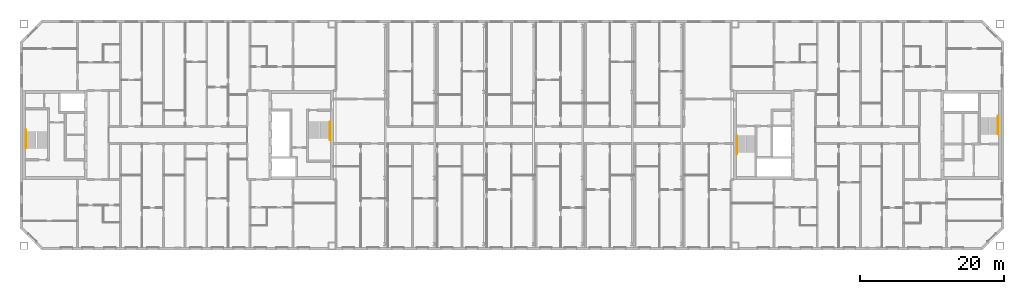
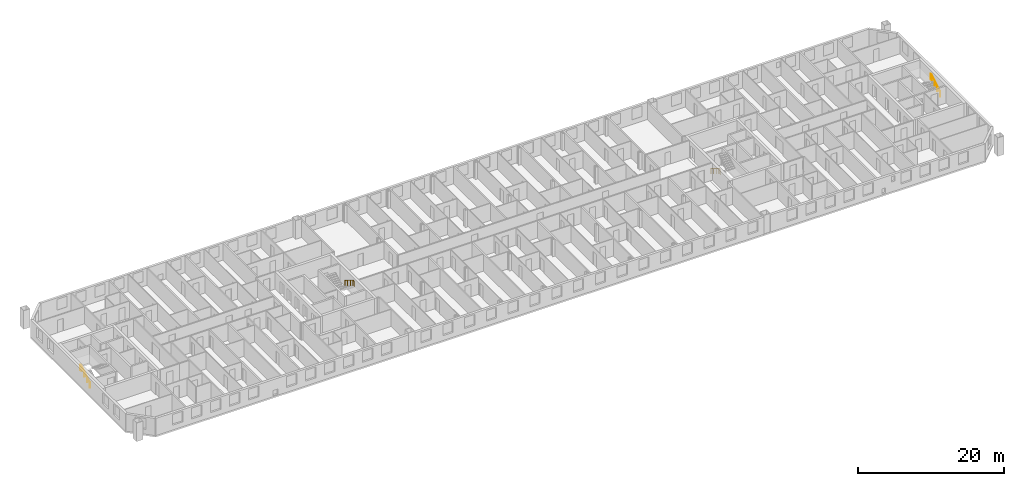
# One storey, part 19 of 19: 4 railings.
"""IFC4 building model written with IfcOpenShell, lengths in metres."""

from ifc_helpers import new_model, si_unit, direction, frame, origin, origin_2d, place, context, subcontext, project, spatial, circle, extrude, material, type_object, element, save


model = new_model("IFC4")

# Units and contexts
model_context = context("Model", 3, precision=1e-05, world=origin(), true_north=direction((0.0, 1.0)))
body_context = subcontext(model_context, "Body", "Model", "MODEL_VIEW")
ifc_project = project(units=[si_unit("LENGTHUNIT", "METRE"), si_unit("AREAUNIT", "SQUARE_METRE"), si_unit("VOLUMEUNIT", "CUBIC_METRE"), si_unit("PLANEANGLEUNIT", "RADIAN"), si_unit("MASSUNIT", "GRAM", prefix="KILO")], contexts=[model_context])

# Site, building, storey
site_placement = place(None, origin())
site = spatial("IfcSite", under=ifc_project, at=site_placement, CompositionType="ELEMENT")
building_placement = place(site_placement, origin())
building = spatial("IfcBuilding", under=site, at=building_placement, Name="Tuart Gate Housing", CompositionType="ELEMENT")
storey_placement = place(building_placement, frame((0.0, 0.0, 233.800048828125)))
storey = spatial("IfcBuildingStorey", under=building, at=storey_placement, Name="L66", CompositionType="ELEMENT", Elevation=233.800048828125)

# Railings
ifc_material = material(Name="Stainless steel", Category="steel")
railing_type = type_object("IfcRailingType", Name="Stair handrail 900", PredefinedType="HANDRAIL", material=ifc_material)
railing_1_placement = place(storey_placement, frame((75.179931640625, 71.824951171875, 0.172119140625)))
element("IfcRailing", 1, at=railing_1_placement, inside=storey, type_object=railing_type, Name="Stair handrail SA1.1", PredefinedType="HANDRAIL", context=body_context, shape_type="SweptSolid", body=[
    extrude(circle(Radius=0.02392578125, at=origin_2d()), frame((0.0, 0.0, 0.8759765625), z_axis=(0.0, -0.851747552033, 0.523952390591), x_axis=(1.0, 0.0, 0.0)), (0.0, 0.0, 1.0), 2.6298828125),
    extrude(circle(Radius=0.02392578125, at=origin_2d()), frame((0.0, -2.239990234375, 2.25390625), z_axis=(0.0, -1.0, 0.0), x_axis=(1.0, 0.0, 0.0)), (0.0, 0.0, 1.0), 0.300048828125),
    extrude(circle(Radius=0.02099609375, at=origin_2d()), origin(), (0.0, 0.0, 1.0), 0.851806640625),
    extrude(circle(Radius=0.02099609375, at=origin_2d()), frame((0.0, -0.74658203125, 0.459228515625)), (0.0, 0.0, 1.0), 0.851806640625),
    extrude(circle(Radius=0.02099609375, at=origin_2d()), frame((0.0, -1.493408203125, 0.918701171875)), (0.0, 0.0, 1.0), 0.851806640625),
    extrude(circle(Radius=0.02099609375, at=origin_2d()), frame((0.0, -2.239990234375, 1.3779296875)), (0.0, 0.0, 1.0), 0.851806640625),
    extrude(circle(Radius=0.02099609375, at=origin_2d()), frame((0.0, -2.5400390625, 1.3779296875)), (0.0, 0.0, 1.0), 0.851806640625),
])
railing_2_placement = place(storey_placement, frame((32.820068359375, 68.175048828125, 0.172119140625)))
element("IfcRailing", 2, at=railing_2_placement, inside=storey, type_object=railing_type, Name="Stair handrail SA2.1", PredefinedType="HANDRAIL", context=body_context, shape_type="SweptSolid", body=[
    extrude(circle(Radius=0.02392578125, at=origin_2d()), frame((0.0, 0.0, 0.8759765625), z_axis=(0.0, 0.851747552033, 0.523952390591), x_axis=(-1.0, 0.0, 0.0)), (0.0, 0.0, 1.0), 2.6298828125),
    extrude(circle(Radius=0.02392578125, at=origin_2d()), frame((0.0, 2.239990234375, 2.25390625), z_axis=(0.0, 1.0, 0.0), x_axis=(-1.0, 0.0, 0.0)), (0.0, 0.0, 1.0), 0.300048828125),
    extrude(circle(Radius=0.02099609375, at=origin_2d()), origin(), (0.0, 0.0, 1.0), 0.851806640625),
    extrude(circle(Radius=0.02099609375, at=origin_2d()), frame((0.0, 0.74658203125, 0.459228515625)), (0.0, 0.0, 1.0), 0.851806640625),
    extrude(circle(Radius=0.02099609375, at=origin_2d()), frame((0.0, 1.493408203125, 0.918701171875)), (0.0, 0.0, 1.0), 0.851806640625),
    extrude(circle(Radius=0.02099609375, at=origin_2d()), frame((0.0, 2.239990234375, 1.3779296875)), (0.0, 0.0, 1.0), 0.851806640625),
    extrude(circle(Radius=0.02099609375, at=origin_2d()), frame((0.0, 2.5400390625, 1.3779296875)), (0.0, 0.0, 1.0), 0.851806640625),
])
railing_3_placement = place(storey_placement, frame((131.820068359375, 69.875, 0.172119140625)))
element("IfcRailing", 3, at=railing_3_placement, inside=storey, type_object=railing_type, Name="Stair handrail SB1.1", PredefinedType="HANDRAIL", context=body_context, shape_type="SweptSolid", body=[
    extrude(circle(Radius=0.02392578125, at=origin_2d()), frame((0.0, 0.0, 0.8759765625), z_axis=(0.0, -0.851747552033, 0.523952390591), x_axis=(1.0, 0.0, 0.0)), (0.0, 0.0, 1.0), 2.6298828125),
    extrude(circle(Radius=0.02392578125, at=origin_2d()), frame((0.0, -2.239990234375, 2.25390625), z_axis=(0.0, -1.0, 0.0), x_axis=(1.0, 0.0, 0.0)), (0.0, 0.0, 1.0), 0.300048828125),
    extrude(circle(Radius=0.02099609375, at=origin_2d()), origin(), (0.0, 0.0, 1.0), 0.851806640625),
    extrude(circle(Radius=0.02099609375, at=origin_2d()), frame((0.0, -0.74658203125, 0.459228515625)), (0.0, 0.0, 1.0), 0.851806640625),
    extrude(circle(Radius=0.02099609375, at=origin_2d()), frame((0.0, -1.493408203125, 0.918701171875)), (0.0, 0.0, 1.0), 0.851806640625),
    extrude(circle(Radius=0.02099609375, at=origin_2d()), frame((0.0, -2.239990234375, 1.3779296875)), (0.0, 0.0, 1.0), 0.851806640625),
    extrude(circle(Radius=0.02099609375, at=origin_2d()), frame((0.0, -2.5400390625, 1.3779296875)), (0.0, 0.0, 1.0), 0.851806640625),
])
railing_4_placement = place(storey_placement, frame((168.179931640625, 70.125, 0.172119140625)))
element("IfcRailing", 4, at=railing_4_placement, inside=storey, type_object=railing_type, Name="Stair handrail SB2.1", PredefinedType="HANDRAIL", context=body_context, shape_type="SweptSolid", body=[
    extrude(circle(Radius=0.02392578125, at=origin_2d()), frame((0.0, 0.0, 0.8759765625), z_axis=(0.0, 0.851747552033, 0.523952390591), x_axis=(-1.0, 0.0, 0.0)), (0.0, 0.0, 1.0), 2.6298828125),
    extrude(circle(Radius=0.02392578125, at=origin_2d()), frame((0.0, 2.239990234375, 2.25390625), z_axis=(0.0, 1.0, 0.0), x_axis=(-1.0, 0.0, 0.0)), (0.0, 0.0, 1.0), 0.300048828125),
    extrude(circle(Radius=0.02099609375, at=origin_2d()), origin(), (0.0, 0.0, 1.0), 0.851806640625),
    extrude(circle(Radius=0.02099609375, at=origin_2d()), frame((0.0, 0.74658203125, 0.459228515625)), (0.0, 0.0, 1.0), 0.851806640625),
    extrude(circle(Radius=0.02099609375, at=origin_2d()), frame((0.0, 1.493408203125, 0.918701171875)), (0.0, 0.0, 1.0), 0.851806640625),
    extrude(circle(Radius=0.02099609375, at=origin_2d()), frame((0.0, 2.239990234375, 1.3779296875)), (0.0, 0.0, 1.0), 0.851806640625),
    extrude(circle(Radius=0.02099609375, at=origin_2d()), frame((0.0, 2.5400390625, 1.3779296875)), (0.0, 0.0, 1.0), 0.851806640625),
])

save(model, "model.ifc")
